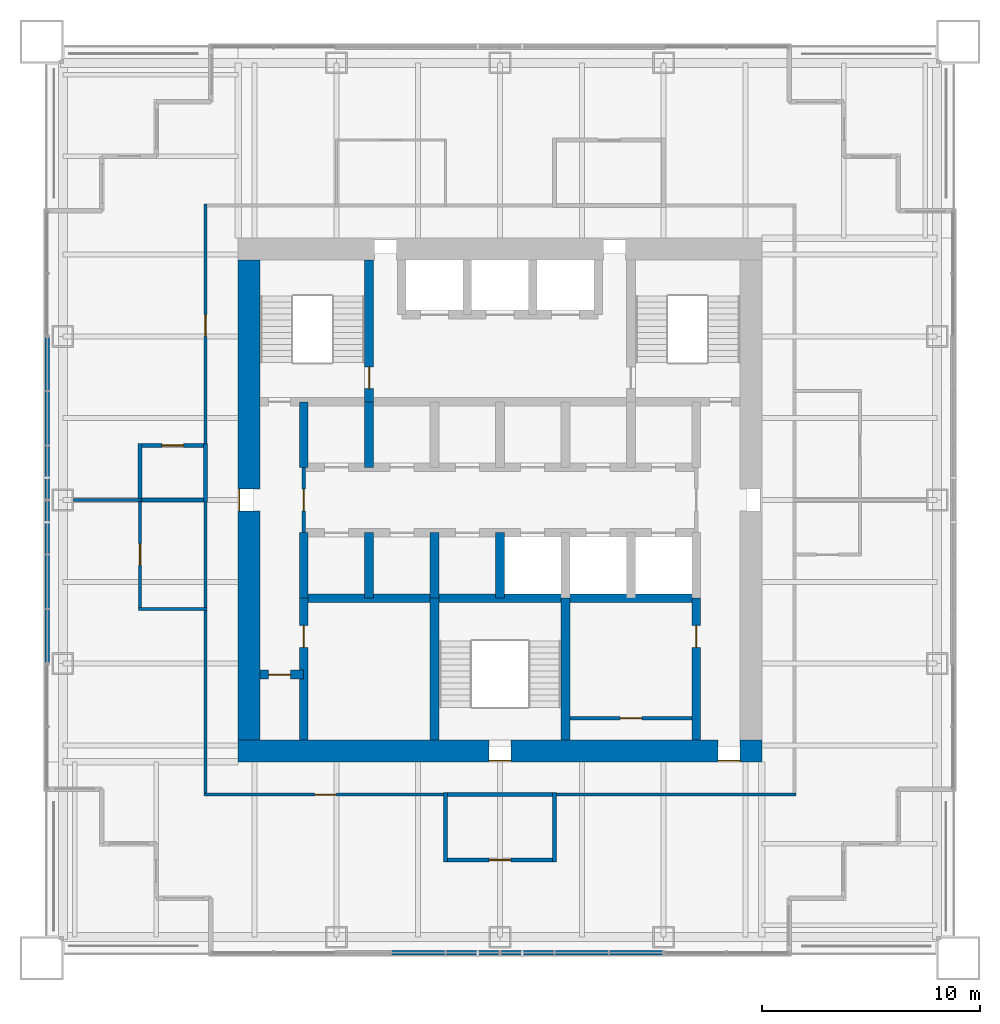
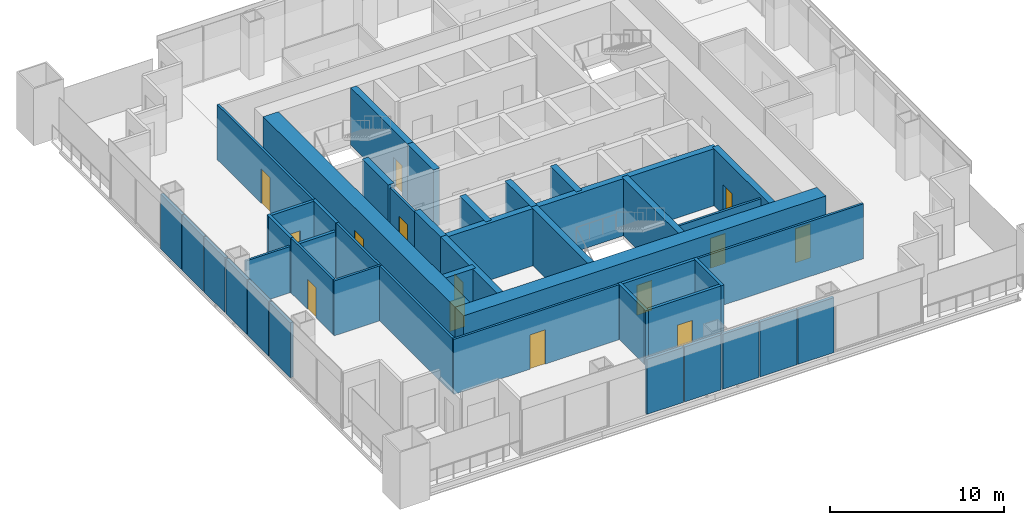
# One storey, part 9 of 14: 43 walls, 14 doors, 14 openings.
"""IFC4 building model written with IfcOpenShell, lengths in metres."""

from ifc_helpers import new_model, si_unit, direction, frame, frame_2d, origin, place, context, subcontext, project, spatial, rectangle, extrude, material, layer, layer_set, type_object, element, fill, save


model = new_model("IFC4")

# Units and contexts
model_context = context("Model", 3, precision=1e-05, world=origin(), true_north=direction((0.0, 1.0)))
body_context = subcontext(model_context, "Body", "Model", "MODEL_VIEW")
ifc_project = project(units=[si_unit("LENGTHUNIT", "METRE"), si_unit("AREAUNIT", "SQUARE_METRE"), si_unit("VOLUMEUNIT", "CUBIC_METRE"), si_unit("PLANEANGLEUNIT", "RADIAN"), si_unit("MASSUNIT", "GRAM", prefix="KILO")], contexts=[model_context])

# Site, building, storey
site_placement = place(None, origin())
site = spatial("IfcSite", under=ifc_project, at=site_placement, CompositionType="ELEMENT")
building_placement = place(site_placement, origin())
building = spatial("IfcBuilding", under=site, at=building_placement, Name="Tarangal Relay Tower", CompositionType="ELEMENT")
storey_placement = place(building_placement, frame((0.0, 0.0, 279.89990234375)))
storey = spatial("IfcBuildingStorey", under=building, at=storey_placement, Name="L61", CompositionType="ELEMENT", Elevation=279.89990234375)

# Wall, opening, door
ifc_material_1 = material(Name="Two layers gypsum board each side on twin steel studs, mineral wool", Category="steel")
ifc_layer_1 = layer(ifc_material_1, 0.199951171875)
ifc_layer_set_1 = layer_set([ifc_layer_1], Name="Acoustic partition 200")
wall_type_1 = type_object("IfcWallType", Name="Acoustic partition 200", PredefinedType="PARTITIONING", material=ifc_layer_set_1)
wall_1_placement = place(storey_placement, frame((-2.60009765625, -16.5, 0.0), z_axis=(0.0, 0.0, 1.0), x_axis=(1.0, 0.0, 0.0)))
wall_1 = element("IfcWall", 1, at=wall_1_placement, inside=storey, type_object=wall_type_1, Name="Partition PT2 L61", PredefinedType="PARTITIONING", context=body_context, shape_type="SweptSolid", body=[
    extrude(rectangle(XDim=5.2001953125, YDim=0.199951171875, at=frame_2d((2.60009765625, 0.0))), origin(), (0.0, 0.0, 1.0), 3.85009765625),
])
opening_1_placement = place(wall_1_placement, frame((2.10009765625, 0.0, 0.0)))
opening_1 = element("IfcOpeningElement", 2, at=opening_1_placement, cuts=wall_1, Name="Opening D2", PredefinedType="OPENING", context=body_context, shape_type="SweptSolid", body=[
    extrude(rectangle(XDim=1.0, YDim=2.10009765625, at=frame_2d((0.5, 1.050048828125))), frame((0.0, 0.10986328125, 0.0), z_axis=(0.0, -1.0, 0.0), x_axis=(1.0, 0.0, 0.0)), (0.0, 0.0, 1.0), 0.219970703125),
])
ifc_material_2 = material(Name="Hardwood door", Category="wood")
door_type_1 = type_object("IfcDoorType", Name="Door 1000 x 2100", OperationType="SINGLE_SWING_LEFT", PredefinedType="DOOR", material=ifc_material_2)
door_1_placement = place(opening_1_placement, origin())
door_1 = element("IfcDoor", 3, at=door_1_placement, inside=storey, type_object=door_type_1, Name="Door D2 to meeting room L61-06", OperationType="SINGLE_SWING_LEFT", OverallHeight=2.10009765625, OverallWidth=1.0, PredefinedType="DOOR", context=body_context, shape_type="SweptSolid", body=[
    extrude(rectangle(XDim=1.0, YDim=2.10009765625, at=frame_2d((0.5, 1.050048828125))), frame((0.0, 0.02490234375, 0.0), z_axis=(0.0, -1.0, 0.0), x_axis=(1.0, 0.0, 0.0)), (0.0, 0.0, 1.0), 0.050048828125),
])
fill(opening_1, door_1)

# Walls
wall_2_placement = place(storey_placement, frame((-2.60009765625, -13.5, 0.0), z_axis=(0.0, 0.0, 1.0), x_axis=(1.0, 0.0, 0.0)))
element("IfcWall", 4, at=wall_2_placement, inside=storey, type_object=wall_type_1, Name="Partition PT2 L61", PredefinedType="PARTITIONING", context=body_context, shape_type="SweptSolid", body=[
    extrude(rectangle(XDim=5.2001953125, YDim=0.199951171875, at=frame_2d((2.60009765625, 0.0))), origin(), (0.0, 0.0, 1.0), 3.85009765625),
])
wall_3_placement = place(storey_placement, frame((-16.60009765625, 0.0, 0.0), z_axis=(0.0, 0.0, 1.0), x_axis=(1.0, 0.0, 0.0)))
element("IfcWall", 5, at=wall_3_placement, inside=storey, type_object=wall_type_1, Name="Partition PT2 L61", PredefinedType="PARTITIONING", context=body_context, shape_type="SweptSolid", body=[
    extrude(rectangle(XDim=3.2001953125, YDim=0.199951171875, at=frame_2d((1.60009765625, 0.0))), origin(), (0.0, 0.0, 1.0), 3.2431640625),
])

# Wall, opening, door
wall_4_placement = place(storey_placement, frame((-16.60009765625, 2.5, 0.0), z_axis=(0.0, 0.0, 1.0), x_axis=(1.0, 0.0, 0.0)))
wall_4 = element("IfcWall", 6, at=wall_4_placement, inside=storey, type_object=wall_type_1, Name="Partition PT2 L61", PredefinedType="PARTITIONING", context=body_context, shape_type="SweptSolid", body=[
    extrude(rectangle(XDim=3.2001953125, YDim=0.199951171875, at=frame_2d((1.60009765625, 0.0))), origin(), (0.0, 0.0, 1.0), 3.85009765625),
])
opening_2_placement = place(wall_4_placement, frame((1.10009765625, 0.0, 0.0)))
opening_2 = element("IfcOpeningElement", 7, at=opening_2_placement, cuts=wall_4, Name="Opening D2", PredefinedType="OPENING", context=body_context, shape_type="SweptSolid", body=[
    extrude(rectangle(XDim=1.0, YDim=2.10009765625, at=frame_2d((0.5, 1.050048828125))), frame((0.0, 0.10986328125, 0.0), z_axis=(0.0, -1.0, 0.0), x_axis=(1.0, 0.0, 0.0)), (0.0, 0.0, 1.0), 0.219970703125),
])
door_2_placement = place(opening_2_placement, origin())
door_2 = element("IfcDoor", 8, at=door_2_placement, inside=storey, type_object=door_type_1, Name="Door D2 to phone room L61-08", OperationType="SINGLE_SWING_LEFT", OverallHeight=2.10009765625, OverallWidth=1.0, PredefinedType="DOOR", context=body_context, shape_type="SweptSolid", body=[
    extrude(rectangle(XDim=1.0, YDim=2.10009765625, at=frame_2d((0.5, 1.050048828125))), frame((0.0, 0.02490234375, 0.0), z_axis=(0.0, -1.0, 0.0), x_axis=(1.0, 0.0, 0.0)), (0.0, 0.0, 1.0), 0.050048828125),
])
fill(opening_2, door_2)

# Walls
for number, where, z_axis, x_axis, name in (
    (9, (-16.5, -0.10009765625, 0.0), (0.0, 0.0, 1.0), (0.0, 1.0, 0.0), "Partition PT2 L61"),
    (10, (-13.5, -0.10009765625, 0.0), (0.0, 0.0, 1.0), (0.0, 1.0, 0.0), "Partition PT2 L61"),
):
    element("IfcWall", number, at=place(storey_placement, frame(where, z_axis=z_axis, x_axis=x_axis)), inside=storey, type_object=wall_type_1, Name=name, PredefinedType="PARTITIONING", context=body_context, shape_type="SweptSolid", body=[
        extrude(rectangle(XDim=2.7001953125, YDim=0.199951171875, at=frame_2d((1.35009765625, 0.0))), origin(), (0.0, 0.0, 1.0), 3.85009765625),
    ])
for number, where, z_axis, x_axis, name in (
    (11, (-2.5, -16.60009765625, 0.0), (0.0, 0.0, 1.0), (0.0, 1.0, 0.0), "Partition PT2 L61"),
    (12, (2.5, -16.60009765625, 0.0), (0.0, 0.0, 1.0), (0.0, 1.0, 0.0), "Partition PT2 L61"),
):
    element("IfcWall", number, at=place(storey_placement, frame(where, z_axis=z_axis, x_axis=x_axis)), inside=storey, type_object=wall_type_1, Name=name, PredefinedType="PARTITIONING", context=body_context, shape_type="SweptSolid", body=[
        extrude(rectangle(XDim=3.2001953125, YDim=0.199951171875, at=frame_2d((1.60009765625, 0.0))), origin(), (0.0, 0.0, 1.0), 3.85009765625),
    ])
ifc_material_3 = material(Name="Concrete fc' 60 MPa", Category="concrete")
ifc_layer_2 = layer(ifc_material_3, 0.39990234375)
ifc_layer_set_2 = layer_set([ifc_layer_2], Name="Core inner wall 400")
wall_type_2 = type_object("IfcWallType", Name="Core inner wall 400", PredefinedType="SHEAR", material=ifc_layer_set_2)
wall_5_placement = place(storey_placement, frame((-9.0, -4.5, 0.0), z_axis=(0.0, 0.0, 1.0), x_axis=(1.0, 0.0, 0.0)))
element("IfcWall", 13, at=wall_5_placement, inside=storey, type_object=wall_type_2, Name="Core wall YM45 L61", PredefinedType="SHEAR", context=body_context, shape_type="SweptSolid", body=[
    extrude(rectangle(XDim=18.0, YDim=0.39990234375, at=frame_2d((9.0, 0.0))), origin(), (0.0, 0.0, 1.0), 4.0),
])

# Wall, opening, door
wall_6_placement = place(storey_placement, frame((-11.0, -8.0, 0.0), z_axis=(0.0, 0.0, 1.0), x_axis=(1.0, 0.0, 0.0)))
wall_6 = element("IfcWall", 14, at=wall_6_placement, inside=storey, type_object=wall_type_2, Name="Core wall YM8 L61", PredefinedType="SHEAR", context=body_context, shape_type="SweptSolid", body=[
    extrude(rectangle(XDim=2.0, YDim=0.39990234375, at=frame_2d((1.0, 0.0))), origin(), (0.0, 0.0, 1.0), 4.0),
])
opening_3_placement = place(wall_6_placement, frame((0.39990234375, 0.0, 0.0)))
opening_3 = element("IfcOpeningElement", 15, at=opening_3_placement, cuts=wall_6, Name="Opening D1", PredefinedType="OPENING", context=body_context, shape_type="SweptSolid", body=[
    extrude(rectangle(XDim=1.0, YDim=2.10009765625, at=frame_2d((0.5, 1.050048828125))), frame((0.0, 0.2099609375, 0.0), z_axis=(0.0, -1.0, 0.0), x_axis=(1.0, 0.0, 0.0)), (0.0, 0.0, 1.0), 0.419921875),
])
door_type_2 = type_object("IfcDoorType", Name="WC door 1000 x 2100", OperationType="SINGLE_SWING_LEFT", PredefinedType="DOOR", material=ifc_material_2)
door_3_placement = place(opening_3_placement, origin())
door_3 = element("IfcDoor", 16, at=door_3_placement, inside=storey, type_object=door_type_2, Name="Accessible WC door L61", OperationType="SINGLE_SWING_LEFT", OverallHeight=2.10009765625, OverallWidth=1.0, PredefinedType="DOOR", context=body_context, shape_type="SweptSolid", body=[
    extrude(rectangle(XDim=1.0, YDim=2.10009765625, at=frame_2d((0.5, 1.050048828125))), frame((0.0, 0.02490234375, 0.0), z_axis=(0.0, -1.0, 0.0), x_axis=(1.0, 0.0, 0.0)), (0.0, 0.0, 1.0), 0.050048828125),
])
fill(opening_3, door_3)

# Walls
for number, where, z_axis, x_axis, name in (
    (17, (-9.0, 1.5, 0.0), (0.0, 0.0, 1.0), (0.0, 1.0, 0.0), "Core wall XM9N L61"),
    (18, (-9.0, -4.5, 0.0), (0.0, 0.0, 1.0), (0.0, 1.0, 0.0), "Core wall XM9S L61"),
    (19, (-6.0, 1.5, 0.0), (0.0, 0.0, 1.0), (0.0, 1.0, 0.0), "Core wall XM6N L61"),
    (20, (-6.0, -4.5, 0.0), (0.0, 0.0, 1.0), (0.0, 1.0, 0.0), "Core wall XM6S L61"),
    (21, (-3.0, -4.5, 0.0), (0.0, 0.0, 1.0), (0.0, 1.0, 0.0), "Core wall XM3S L61"),
    (22, (0.0, -4.5, 0.0), (0.0, 0.0, 1.0), (0.0, 1.0, 0.0), "Core wall X0S L61"),
):
    element("IfcWall", number, at=place(storey_placement, frame(where, z_axis=z_axis, x_axis=x_axis)), inside=storey, type_object=wall_type_2, Name=name, PredefinedType="SHEAR", context=body_context, shape_type="SweptSolid", body=[
        extrude(rectangle(XDim=3.0, YDim=0.39990234375, at=frame_2d((1.5, 0.0))), origin(), (0.0, 0.0, 1.0), 4.0),
    ])

# Wall, opening, door
wall_7_placement = place(storey_placement, frame((-6.0, 4.5, 0.0), z_axis=(0.0, 0.0, 1.0), x_axis=(0.0, 1.0, 0.0)))
wall_7 = element("IfcWall", 23, at=wall_7_placement, inside=storey, type_object=wall_type_2, Name="Core wall XM6 L61", PredefinedType="SHEAR", context=body_context, shape_type="SweptSolid", body=[
    extrude(rectangle(XDim=6.5, YDim=0.39990234375, at=frame_2d((3.25, 0.0))), origin(), (0.0, 0.0, 1.0), 4.0),
])
opening_4_placement = place(wall_7_placement, frame((0.60009765625, 0.0, 0.0)))
opening_4 = element("IfcOpeningElement", 24, at=opening_4_placement, cuts=wall_7, Name="Opening FD1", PredefinedType="OPENING", context=body_context, shape_type="SweptSolid", body=[
    extrude(rectangle(XDim=1.0, YDim=2.10009765625, at=frame_2d((0.5, 1.050048828125))), frame((0.0, 0.2099609375, 0.0), z_axis=(0.0, -1.0, 0.0), x_axis=(1.0, 0.0, 0.0)), (0.0, 0.0, 1.0), 0.419921875),
])
ifc_material_4 = material(Name="Steel door with hardwood frame", Category="steel")
door_type_3 = type_object("IfcDoorType", Name="Fire door 1000 x 2100", OperationType="SINGLE_SWING_LEFT", PredefinedType="DOOR", material=ifc_material_4)
door_4_placement = place(opening_4_placement, origin())
door_4 = element("IfcDoor", 25, at=door_4_placement, inside=storey, type_object=door_type_3, Name="Stair ST-A door from fire-fighting lobby L61", OperationType="SINGLE_SWING_LEFT", OverallHeight=2.10009765625, OverallWidth=1.0, PredefinedType="DOOR", context=body_context, shape_type="SweptSolid", body=[
    extrude(rectangle(XDim=1.0, YDim=2.10009765625, at=frame_2d((0.5, 1.050048828125))), frame((0.0, 0.02490234375, 0.0), z_axis=(0.0, -1.0, 0.0), x_axis=(1.0, 0.0, 0.0)), (0.0, 0.0, 1.0), 0.050048828125),
])
fill(opening_4, door_4)

wall_8_placement = place(storey_placement, frame((-9.0, -11.0, 0.0), z_axis=(0.0, 0.0, 1.0), x_axis=(0.0, 1.0, 0.0)))
wall_8 = element("IfcWall", 26, at=wall_8_placement, inside=storey, type_object=wall_type_2, Name="Core wall XM9W L61", PredefinedType="SHEAR", context=body_context, shape_type="SweptSolid", body=[
    extrude(rectangle(XDim=6.5, YDim=0.39990234375, at=frame_2d((3.25, 0.0))), origin(), (0.0, 0.0, 1.0), 4.0),
])
opening_5_placement = place(wall_8_placement, frame((4.25, 0.0, 0.0)))
opening_5 = element("IfcOpeningElement", 27, at=opening_5_placement, cuts=wall_8, Name="Opening D1", PredefinedType="OPENING", context=body_context, shape_type="SweptSolid", body=[
    extrude(rectangle(XDim=1.0, YDim=2.10009765625, at=frame_2d((0.5, 1.050048828125))), frame((0.0, 0.2099609375, 0.0), z_axis=(0.0, -1.0, 0.0), x_axis=(1.0, 0.0, 0.0)), (0.0, 0.0, 1.0), 0.419921875),
])
door_5_placement = place(opening_5_placement, origin())
door_5 = element("IfcDoor", 28, at=door_5_placement, inside=storey, type_object=door_type_2, Name="Male WC door L61", OperationType="SINGLE_SWING_LEFT", OverallHeight=2.10009765625, OverallWidth=1.0, PredefinedType="DOOR", context=body_context, shape_type="SweptSolid", body=[
    extrude(rectangle(XDim=1.0, YDim=2.10009765625, at=frame_2d((0.5, 1.050048828125))), frame((0.0, 0.02490234375, 0.0), z_axis=(0.0, -1.0, 0.0), x_axis=(1.0, 0.0, 0.0)), (0.0, 0.0, 1.0), 0.050048828125),
])
fill(opening_5, door_5)

wall_9_placement = place(storey_placement, frame((9.0, -11.0, 0.0), z_axis=(0.0, 0.0, 1.0), x_axis=(0.0, 1.0, 0.0)))
wall_9 = element("IfcWall", 29, at=wall_9_placement, inside=storey, type_object=wall_type_2, Name="Core wall X9W L61", PredefinedType="SHEAR", context=body_context, shape_type="SweptSolid", body=[
    extrude(rectangle(XDim=6.5, YDim=0.39990234375, at=frame_2d((3.25, 0.0))), origin(), (0.0, 0.0, 1.0), 4.0),
])
opening_6_placement = place(wall_9_placement, frame((4.25, 0.0, 0.0)))
opening_6 = element("IfcOpeningElement", 30, at=opening_6_placement, cuts=wall_9, Name="Opening D1", PredefinedType="OPENING", context=body_context, shape_type="SweptSolid", body=[
    extrude(rectangle(XDim=1.0, YDim=2.10009765625, at=frame_2d((0.5, 1.050048828125))), frame((0.0, 0.2099609375, 0.0), z_axis=(0.0, -1.0, 0.0), x_axis=(1.0, 0.0, 0.0)), (0.0, 0.0, 1.0), 0.419921875),
])
door_6_placement = place(opening_6_placement, origin())
door_6 = element("IfcDoor", 31, at=door_6_placement, inside=storey, type_object=door_type_2, Name="Female WC door L61", OperationType="SINGLE_SWING_LEFT", OverallHeight=2.10009765625, OverallWidth=1.0, PredefinedType="DOOR", context=body_context, shape_type="SweptSolid", body=[
    extrude(rectangle(XDim=1.0, YDim=2.10009765625, at=frame_2d((0.5, 1.050048828125))), frame((0.0, 0.02490234375, 0.0), z_axis=(0.0, -1.0, 0.0), x_axis=(1.0, 0.0, 0.0)), (0.0, 0.0, 1.0), 0.050048828125),
])
fill(opening_6, door_6)

# Walls
for number, where, z_axis, x_axis, name in (
    (32, (-3.0, -11.0, 0.0), (0.0, 0.0, 1.0), (0.0, 1.0, 0.0), "Core wall XM3W L61"),
    (33, (3.0, -11.0, 0.0), (0.0, 0.0, 1.0), (0.0, 1.0, 0.0), "Core wall X3W L61"),
):
    element("IfcWall", number, at=place(storey_placement, frame(where, z_axis=z_axis, x_axis=x_axis)), inside=storey, type_object=wall_type_2, Name=name, PredefinedType="SHEAR", context=body_context, shape_type="SweptSolid", body=[
        extrude(rectangle(XDim=6.5, YDim=0.39990234375, at=frame_2d((3.25, 0.0))), origin(), (0.0, 0.0, 1.0), 4.0),
    ])

# Wall, openings, doors
ifc_layer_3 = layer(ifc_material_3, 1.0)
ifc_layer_set_3 = layer_set([ifc_layer_3], Name="Core wall 1000")
wall_type_3 = type_object("IfcWallType", Name="Core wall 1000", PredefinedType="SHEAR", material=ifc_layer_set_3)
wall_10_placement = place(storey_placement, frame((12.0, -11.5, 0.0), z_axis=(0.0, 0.0, 1.0), x_axis=(-1.0, 0.0, 0.0)))
wall_10 = element("IfcWall", 34, at=wall_10_placement, inside=storey, type_object=wall_type_3, Name="Core wall S L61", PredefinedType="SHEAR", context=body_context, shape_type="SweptSolid", body=[
    extrude(rectangle(XDim=24.0, YDim=1.0, at=frame_2d((12.0, 0.0))), origin(), (0.0, 0.0, 1.0), 4.0),
])
opening_7_placement = place(wall_10_placement, frame((11.5, 0.0, 0.0)))
opening_7 = element("IfcOpeningElement", 35, at=opening_7_placement, cuts=wall_10, Name="Opening FD1", PredefinedType="OPENING", context=body_context, shape_type="SweptSolid", body=[
    extrude(rectangle(XDim=1.0, YDim=2.10009765625, at=frame_2d((0.5, 1.050048828125))), frame((0.0, 0.510009765625, 0.0), z_axis=(0.0, -1.0, 0.0), x_axis=(1.0, 0.0, 0.0)), (0.0, 0.0, 1.0), 1.02001953125),
])
opening_8_placement = place(wall_10_placement, frame((1.0, 0.0, 0.0)))
opening_8 = element("IfcOpeningElement", 36, at=opening_8_placement, cuts=wall_10, Name="Opening FD3", PredefinedType="OPENING", context=body_context, shape_type="SweptSolid", body=[
    extrude(rectangle(XDim=1.0, YDim=2.39990234375, at=frame_2d((0.5, 1.199951171875))), frame((0.0, 0.510009765625, 0.0), z_axis=(0.0, -1.0, 0.0), x_axis=(1.0, 0.0, 0.0)), (0.0, 0.0, 1.0), 1.02001953125),
])
door_7_placement = place(opening_7_placement, origin())
door_7 = element("IfcDoor", 37, at=door_7_placement, inside=storey, type_object=door_type_3, Name="Stair ST-C door L61", OperationType="SINGLE_SWING_LEFT", OverallHeight=2.10009765625, OverallWidth=1.0, PredefinedType="DOOR", context=body_context, shape_type="SweptSolid", body=[
    extrude(rectangle(XDim=1.0, YDim=2.10009765625, at=frame_2d((0.5, 1.050048828125))), frame((0.0, 0.48486328125, 0.0), z_axis=(0.0, -1.0, 0.0), x_axis=(1.0, 0.0, 0.0)), (0.0, 0.0, 1.0), 0.050048828125),
])
fill(opening_7, door_7)
door_type_4 = type_object("IfcDoorType", Name="Fire door 1000 x 2400 core entry", OperationType="SINGLE_SWING_RIGHT", PredefinedType="DOOR", material=ifc_material_4)
door_8_placement = place(opening_8_placement, origin())
door_8 = element("IfcDoor", 38, at=door_8_placement, inside=storey, type_object=door_type_4, Name="Core entry door south east L61", OperationType="SINGLE_SWING_RIGHT", OverallHeight=2.39990234375, OverallWidth=1.0, PredefinedType="DOOR", context=body_context, shape_type="SweptSolid", body=[
    extrude(rectangle(XDim=1.0, YDim=2.39990234375, at=frame_2d((0.5, 1.199951171875))), frame((0.0, 0.48486328125, 0.0), z_axis=(0.0, -1.0, 0.0), x_axis=(1.0, 0.0, 0.0)), (0.0, 0.0, 1.0), 0.050048828125),
])
fill(opening_8, door_8)

# Wall, opening, door
wall_11_placement = place(storey_placement, frame((-11.5, -11.0, 0.0), z_axis=(0.0, 0.0, 1.0), x_axis=(0.0, 1.0, 0.0)))
wall_11 = element("IfcWall", 39, at=wall_11_placement, inside=storey, type_object=wall_type_3, Name="Core wall W L61", PredefinedType="SHEAR", context=body_context, shape_type="SweptSolid", body=[
    extrude(rectangle(XDim=22.0, YDim=1.0, at=frame_2d((11.0, 0.0))), origin(), (0.0, 0.0, 1.0), 4.0),
])
opening_9_placement = place(wall_11_placement, frame((10.5, 0.0, 0.0)))
opening_9 = element("IfcOpeningElement", 40, at=opening_9_placement, cuts=wall_11, Name="Opening FD3", PredefinedType="OPENING", context=body_context, shape_type="SweptSolid", body=[
    extrude(rectangle(XDim=1.0, YDim=2.39990234375, at=frame_2d((0.5, 1.199951171875))), frame((0.0, 0.510009765625, 0.0), z_axis=(0.0, -1.0, 0.0), x_axis=(1.0, 0.0, 0.0)), (0.0, 0.0, 1.0), 1.02001953125),
])
door_9_placement = place(opening_9_placement, origin())
door_9 = element("IfcDoor", 41, at=door_9_placement, inside=storey, type_object=door_type_4, Name="Core entry door west L61", OperationType="SINGLE_SWING_RIGHT", OverallHeight=2.39990234375, OverallWidth=1.0, PredefinedType="DOOR", context=body_context, shape_type="SweptSolid", body=[
    extrude(rectangle(XDim=1.0, YDim=2.39990234375, at=frame_2d((0.5, 1.199951171875))), frame((0.0, 0.48486328125, 0.0), z_axis=(0.0, -1.0, 0.0), x_axis=(1.0, 0.0, 0.0)), (0.0, 0.0, 1.0), 0.050048828125),
])
fill(opening_9, door_9)

# Walls
ifc_material_5 = material(Name="Black metal clad insulated wall", Category="steel")
ifc_layer_4 = layer(ifc_material_5, 0.199951171875)
ifc_layer_set_4 = layer_set([ifc_layer_4], Name="Facade infill wall metal clad 200")
wall_type_4 = type_object("IfcWallType", Name="Facade infill wall metal clad 200", PredefinedType="SOLIDWALL", material=ifc_layer_set_4)
wall_12_placement = place(storey_placement, frame((7.43994140625, -20.75, 0.0), z_axis=(0.0, 0.0, 1.0), x_axis=(-1.0, 0.0, 0.0)))
element("IfcWall", 42, at=wall_12_placement, inside=storey, type_object=wall_type_4, Name="Facade infill wall S facade L61 1.1", PredefinedType="SOLIDWALL", context=body_context, shape_type="SweptSolid", body=[
    extrude(rectangle(XDim=2.409912109375, YDim=0.199951171875, at=frame_2d((1.205078125, 0.0))), origin(), (0.0, 0.0, 1.0), 3.85009765625),
])
wall_13_placement = place(storey_placement, frame((4.969970703125, -20.75, 0.0), z_axis=(0.0, 0.0, 1.0), x_axis=(-1.0, 0.0, 0.0)))
element("IfcWall", 43, at=wall_13_placement, inside=storey, type_object=wall_type_4, Name="Facade infill wall S facade L61 2.1", PredefinedType="SOLIDWALL", context=body_context, shape_type="SweptSolid", body=[
    extrude(rectangle(XDim=2.43994140625, YDim=0.199951171875, at=frame_2d((1.219970703125, 0.0))), origin(), (0.0, 0.0, 1.0), 3.85009765625),
])
for number, where, z_axis, x_axis, name in (
    (44, (2.469970703125, -20.75, 0.0), (0.0, 0.0, 1.0), (-1.0, 0.0, 0.0), "Facade infill wall S facade L61 3.1"),
    (45, (-0.06005859375, -20.75, 0.0), (0.0, 0.0, 1.0), (-1.0, 0.0, 0.0), "Facade infill wall S facade L61 1.1"),
):
    element("IfcWall", number, at=place(storey_placement, frame(where, z_axis=z_axis, x_axis=x_axis)), inside=storey, type_object=wall_type_4, Name=name, PredefinedType="SOLIDWALL", context=body_context, shape_type="SweptSolid", body=[
        extrude(rectangle(XDim=2.409912109375, YDim=0.199951171875, at=frame_2d((1.205078125, 0.0))), origin(), (0.0, 0.0, 1.0), 3.85009765625),
    ])
wall_14_placement = place(storey_placement, frame((-2.530029296875, -20.75, 0.0), z_axis=(0.0, 0.0, 1.0), x_axis=(-1.0, 0.0, 0.0)))
element("IfcWall", 46, at=wall_14_placement, inside=storey, type_object=wall_type_4, Name="Facade infill wall S facade L61 2.1", PredefinedType="SOLIDWALL", context=body_context, shape_type="SweptSolid", body=[
    extrude(rectangle(XDim=2.43994140625, YDim=0.199951171875, at=frame_2d((1.219970703125, 0.0))), origin(), (0.0, 0.0, 1.0), 3.85009765625),
])
wall_15_placement = place(storey_placement, frame((-20.75, -7.43994140625, 0.0), z_axis=(0.0, 0.0, 1.0), x_axis=(0.0, 1.0, 0.0)))
element("IfcWall", 47, at=wall_15_placement, inside=storey, type_object=wall_type_4, Name="Facade infill wall W facade L61 1.1", PredefinedType="SOLIDWALL", context=body_context, shape_type="SweptSolid", body=[
    extrude(rectangle(XDim=2.409912109375, YDim=0.199951171875, at=frame_2d((1.205078125, 0.0))), origin(), (0.0, 0.0, 1.0), 3.85009765625),
])
wall_16_placement = place(storey_placement, frame((-20.75, -4.969970703125, 0.0), z_axis=(0.0, 0.0, 1.0), x_axis=(0.0, 1.0, 0.0)))
element("IfcWall", 48, at=wall_16_placement, inside=storey, type_object=wall_type_4, Name="Facade infill wall W facade L61 2.1", PredefinedType="SOLIDWALL", context=body_context, shape_type="SweptSolid", body=[
    extrude(rectangle(XDim=2.43994140625, YDim=0.199951171875, at=frame_2d((1.219970703125, 0.0))), origin(), (0.0, 0.0, 1.0), 3.85009765625),
])
for number, where, z_axis, x_axis, name in (
    (49, (-20.75, -2.469970703125, 0.0), (0.0, 0.0, 1.0), (0.0, 1.0, 0.0), "Facade infill wall W facade L61 3.1"),
    (50, (-20.75, 0.06005859375, 0.0), (0.0, 0.0, 1.0), (0.0, 1.0, 0.0), "Facade infill wall W facade L61 1.1"),
):
    element("IfcWall", number, at=place(storey_placement, frame(where, z_axis=z_axis, x_axis=x_axis)), inside=storey, type_object=wall_type_4, Name=name, PredefinedType="SOLIDWALL", context=body_context, shape_type="SweptSolid", body=[
        extrude(rectangle(XDim=2.409912109375, YDim=0.199951171875, at=frame_2d((1.205078125, 0.0))), origin(), (0.0, 0.0, 1.0), 3.85009765625),
    ])
wall_17_placement = place(storey_placement, frame((-20.75, 2.530029296875, 0.0), z_axis=(0.0, 0.0, 1.0), x_axis=(0.0, 1.0, 0.0)))
element("IfcWall", 51, at=wall_17_placement, inside=storey, type_object=wall_type_4, Name="Facade infill wall W facade L61 2.1", PredefinedType="SOLIDWALL", context=body_context, shape_type="SweptSolid", body=[
    extrude(rectangle(XDim=2.43994140625, YDim=0.199951171875, at=frame_2d((1.219970703125, 0.0))), origin(), (0.0, 0.0, 1.0), 3.85009765625),
])
wall_18_placement = place(storey_placement, frame((-20.75, 5.030029296875, 0.0), z_axis=(0.0, 0.0, 1.0), x_axis=(0.0, 1.0, 0.0)))
element("IfcWall", 52, at=wall_18_placement, inside=storey, type_object=wall_type_4, Name="Facade infill wall W facade L61 3.1", PredefinedType="SOLIDWALL", context=body_context, shape_type="SweptSolid", body=[
    extrude(rectangle(XDim=2.409912109375, YDim=0.199951171875, at=frame_2d((1.205078125, 0.0))), origin(), (0.0, 0.0, 1.0), 3.85009765625),
])

# Wall, opening, door
ifc_material_6 = material(Name="Gypsum board on steel studs", Category="steel")
ifc_layer_5 = layer(ifc_material_6, 0.14990234375)
ifc_layer_set_5 = layer_set([ifc_layer_5], Name="Partition 150")
wall_type_5 = type_object("IfcWallType", Name="Partition 150", PredefinedType="PARTITIONING", material=ifc_layer_set_5)
wall_19_placement = place(storey_placement, frame((-13.574951171875, -13.5, 0.0), z_axis=(0.0, 0.0, 1.0), x_axis=(1.0, 0.0, 0.0)))
wall_19 = element("IfcWall", 53, at=wall_19_placement, inside=storey, type_object=wall_type_5, Name="Partition PT1 L61", PredefinedType="PARTITIONING", context=body_context, shape_type="SweptSolid", body=[
    extrude(rectangle(XDim=11.14990234375, YDim=0.14990234375, at=frame_2d((5.574951171875, 0.0))), origin(), (0.0, 0.0, 1.0), 3.85009765625),
])
opening_10_placement = place(wall_19_placement, frame((5.074951171875, 0.0, 0.0)))
opening_10 = element("IfcOpeningElement", 54, at=opening_10_placement, cuts=wall_19, Name="Opening SD1", PredefinedType="OPENING", context=body_context, shape_type="SweptSolid", body=[
    extrude(rectangle(XDim=1.0, YDim=2.39990234375, at=frame_2d((0.5, 1.199951171875))), frame((0.0, 0.0849609375, 0.0), z_axis=(0.0, -1.0, 0.0), x_axis=(1.0, 0.0, 0.0)), (0.0, 0.0, 1.0), 0.169921875),
])
door_type_5 = type_object("IfcDoorType", Name="Suite entrance door 1000 x 2400", OperationType="SINGLE_SWING_RIGHT", PredefinedType="DOOR", material=ifc_material_4)
door_10_placement = place(opening_10_placement, origin())
door_10 = element("IfcDoor", 55, at=door_10_placement, inside=storey, type_object=door_type_5, Name="Door SD1 to open plan office L61-10", OperationType="SINGLE_SWING_RIGHT", OverallHeight=2.39990234375, OverallWidth=1.0, PredefinedType="DOOR", context=body_context, shape_type="SweptSolid", body=[
    extrude(rectangle(XDim=1.0, YDim=2.39990234375, at=frame_2d((0.5, 1.199951171875))), frame((0.0, 0.02490234375, 0.0), z_axis=(0.0, -1.0, 0.0), x_axis=(1.0, 0.0, 0.0)), (0.0, 0.0, 1.0), 0.050048828125),
])
fill(opening_10, door_10)

# Walls
wall_20_placement = place(storey_placement, frame((2.425048828125, -13.5, 0.0), z_axis=(0.0, 0.0, 1.0), x_axis=(1.0, 0.0, 0.0)))
element("IfcWall", 56, at=wall_20_placement, inside=storey, type_object=wall_type_5, Name="Partition PT1 L61", PredefinedType="PARTITIONING", context=body_context, shape_type="SweptSolid", body=[
    extrude(rectangle(XDim=11.14990234375, YDim=0.14990234375, at=frame_2d((5.574951171875, 0.0))), origin(), (0.0, 0.0, 1.0), 3.85009765625),
])
wall_21_placement = place(storey_placement, frame((-16.574951171875, -5.0, 0.0), z_axis=(0.0, 0.0, 1.0), x_axis=(1.0, 0.0, 0.0)))
element("IfcWall", 57, at=wall_21_placement, inside=storey, type_object=wall_type_5, Name="Partition PT1 L61", PredefinedType="PARTITIONING", context=body_context, shape_type="SweptSolid", body=[
    extrude(rectangle(XDim=3.14990234375, YDim=0.14990234375, at=frame_2d((1.574951171875, 0.0))), origin(), (0.0, 0.0, 1.0), 3.85009765625),
])
wall_22_placement = place(storey_placement, frame((-19.5400390625, 0.0, 0.0), z_axis=(0.0, 0.0, 1.0), x_axis=(1.0, 0.0, 0.0)))
element("IfcWall", 58, at=wall_22_placement, inside=storey, type_object=wall_type_5, Name="Partition PT1 L61", PredefinedType="PARTITIONING", context=body_context, shape_type="SweptSolid", body=[
    extrude(rectangle(XDim=3.114990234375, YDim=0.14990234375, at=frame_2d((1.5576171875, 0.0))), origin(), (0.0, 0.0, 1.0), 3.2431640625),
])

# Wall, opening, door
wall_23_placement = place(storey_placement, frame((-16.5, -5.074951171875, 0.0), z_axis=(0.0, 0.0, 1.0), x_axis=(0.0, 1.0, 0.0)))
wall_23 = element("IfcWall", 59, at=wall_23_placement, inside=storey, type_object=wall_type_5, Name="Partition PT1 L61", PredefinedType="PARTITIONING", context=body_context, shape_type="SweptSolid", body=[
    extrude(rectangle(XDim=5.14990234375, YDim=0.14990234375, at=frame_2d((2.574951171875, 0.0))), origin(), (0.0, 0.0, 1.0), 3.85009765625),
])
opening_11_placement = place(wall_23_placement, frame((2.074951171875, 0.0, 0.0)))
opening_11 = element("IfcOpeningElement", 60, at=opening_11_placement, cuts=wall_23, Name="Opening D2", PredefinedType="OPENING", context=body_context, shape_type="SweptSolid", body=[
    extrude(rectangle(XDim=1.0, YDim=2.10009765625, at=frame_2d((0.5, 1.050048828125))), frame((0.0, 0.0849609375, 0.0), z_axis=(0.0, -1.0, 0.0), x_axis=(1.0, 0.0, 0.0)), (0.0, 0.0, 1.0), 0.169921875),
])
door_11_placement = place(opening_11_placement, origin())
door_11 = element("IfcDoor", 61, at=door_11_placement, inside=storey, type_object=door_type_1, Name="Door D2 to tea pantry L61-07", OperationType="SINGLE_SWING_LEFT", OverallHeight=2.10009765625, OverallWidth=1.0, PredefinedType="DOOR", context=body_context, shape_type="SweptSolid", body=[
    extrude(rectangle(XDim=1.0, YDim=2.10009765625, at=frame_2d((0.5, 1.050048828125))), frame((0.0, 0.02490234375, 0.0), z_axis=(0.0, -1.0, 0.0), x_axis=(1.0, 0.0, 0.0)), (0.0, 0.0, 1.0), 0.050048828125),
])
fill(opening_11, door_11)

# Wall
wall_24_placement = place(storey_placement, frame((-13.5, -13.574951171875, 0.0), z_axis=(0.0, 0.0, 1.0), x_axis=(0.0, 1.0, 0.0)))
element("IfcWall", 62, at=wall_24_placement, inside=storey, type_object=wall_type_5, Name="Partition PT1 L61", PredefinedType="PARTITIONING", context=body_context, shape_type="SweptSolid", body=[
    extrude(rectangle(XDim=13.64990234375, YDim=0.14990234375, at=frame_2d((6.824951171875, 0.0))), origin(), (0.0, 0.0, 1.0), 3.85009765625),
])

# Wall, opening, door
wall_25_placement = place(storey_placement, frame((-13.5, 2.425048828125, 0.0), z_axis=(0.0, 0.0, 1.0), x_axis=(0.0, 1.0, 0.0)))
wall_25 = element("IfcWall", 63, at=wall_25_placement, inside=storey, type_object=wall_type_5, Name="Partition PT1 L61", PredefinedType="PARTITIONING", context=body_context, shape_type="SweptSolid", body=[
    extrude(rectangle(XDim=11.14990234375, YDim=0.14990234375, at=frame_2d((5.574951171875, 0.0))), origin(), (0.0, 0.0, 1.0), 3.85009765625),
])
opening_12_placement = place(wall_25_placement, frame((5.074951171875, 0.0, 0.0)))
opening_12 = element("IfcOpeningElement", 64, at=opening_12_placement, cuts=wall_25, Name="Opening SD1", PredefinedType="OPENING", context=body_context, shape_type="SweptSolid", body=[
    extrude(rectangle(XDim=1.0, YDim=2.39990234375, at=frame_2d((0.5, 1.199951171875))), frame((0.0, 0.0849609375, 0.0), z_axis=(0.0, -1.0, 0.0), x_axis=(1.0, 0.0, 0.0)), (0.0, 0.0, 1.0), 0.169921875),
])
door_12_placement = place(opening_12_placement, origin())
door_12 = element("IfcDoor", 65, at=door_12_placement, inside=storey, type_object=door_type_5, Name="Door SD1 to open plan office L61-09", OperationType="SINGLE_SWING_RIGHT", OverallHeight=2.39990234375, OverallWidth=1.0, PredefinedType="DOOR", context=body_context, shape_type="SweptSolid", body=[
    extrude(rectangle(XDim=1.0, YDim=2.39990234375, at=frame_2d((0.5, 1.199951171875))), frame((0.0, 0.02490234375, 0.0), z_axis=(0.0, -1.0, 0.0), x_axis=(1.0, 0.0, 0.0)), (0.0, 0.0, 1.0), 0.050048828125),
])
fill(opening_12, door_12)

wall_26_placement = place(storey_placement, frame((3.199951171875, -10.0, 0.0), z_axis=(0.0, 0.0, 1.0), x_axis=(1.0, 0.0, 0.0)))
wall_26 = element("IfcWall", 66, at=wall_26_placement, inside=storey, type_object=wall_type_5, Name="Partition PT1 L61", PredefinedType="PARTITIONING", context=body_context, shape_type="SweptSolid", body=[
    extrude(rectangle(XDim=5.60009765625, YDim=0.14990234375, at=frame_2d((2.800048828125, 0.0))), origin(), (0.0, 0.0, 1.0), 3.75),
])
opening_13_placement = place(wall_26_placement, frame((2.300048828125, 0.0, 0.0)))
opening_13 = element("IfcOpeningElement", 67, at=opening_13_placement, cuts=wall_26, Name="Opening D1", PredefinedType="OPENING", context=body_context, shape_type="SweptSolid", body=[
    extrude(rectangle(XDim=1.0, YDim=2.10009765625, at=frame_2d((0.5, 1.050048828125))), frame((0.0, 0.0849609375, 0.0), z_axis=(0.0, -1.0, 0.0), x_axis=(1.0, 0.0, 0.0)), (0.0, 0.0, 1.0), 0.169921875),
])
door_13_placement = place(opening_13_placement, origin())
door_13 = element("IfcDoor", 68, at=door_13_placement, inside=storey, type_object=door_type_2, Name="Door D1 to baby change room L61-C10B", OperationType="SINGLE_SWING_LEFT", OverallHeight=2.10009765625, OverallWidth=1.0, PredefinedType="DOOR", context=body_context, shape_type="SweptSolid", body=[
    extrude(rectangle(XDim=1.0, YDim=2.10009765625, at=frame_2d((0.5, 1.050048828125))), frame((0.0, 0.02490234375, 0.0), z_axis=(0.0, -1.0, 0.0), x_axis=(1.0, 0.0, 0.0)), (0.0, 0.0, 1.0), 0.050048828125),
])
fill(opening_13, door_13)

wall_27_placement = place(storey_placement, frame((-9.0, -1.5, 0.0), z_axis=(0.0, 0.0, 1.0), x_axis=(0.0, 1.0, 0.0)))
wall_27 = element("IfcWall", 69, at=wall_27_placement, inside=storey, type_object=wall_type_5, Name="Partition PT1 L61", PredefinedType="PARTITIONING", context=body_context, shape_type="SweptSolid", body=[
    extrude(rectangle(XDim=3.0, YDim=0.14990234375, at=frame_2d((1.5, 0.0))), origin(), (0.0, 0.0, 1.0), 3.75),
])
opening_14_placement = place(wall_27_placement, frame((1.0, 0.0, 0.0)))
opening_14 = element("IfcOpeningElement", 70, at=opening_14_placement, cuts=wall_27, Name="Opening FD3", PredefinedType="OPENING", context=body_context, shape_type="SweptSolid", body=[
    extrude(rectangle(XDim=1.0, YDim=2.39990234375, at=frame_2d((0.5, 1.199951171875))), frame((0.0, 0.0849609375, 0.0), z_axis=(0.0, -1.0, 0.0), x_axis=(1.0, 0.0, 0.0)), (0.0, 0.0, 1.0), 0.169921875),
])
door_14_placement = place(opening_14_placement, origin())
door_14 = element("IfcDoor", 71, at=door_14_placement, inside=storey, type_object=door_type_4, Name="Lift lobby door FD3 to the west corridor L61", OperationType="SINGLE_SWING_RIGHT", OverallHeight=2.39990234375, OverallWidth=1.0, PredefinedType="DOOR", context=body_context, shape_type="SweptSolid", body=[
    extrude(rectangle(XDim=1.0, YDim=2.39990234375, at=frame_2d((0.5, 1.199951171875))), frame((0.0, 0.02490234375, 0.0), z_axis=(0.0, -1.0, 0.0), x_axis=(1.0, 0.0, 0.0)), (0.0, 0.0, 1.0), 0.050048828125),
])
fill(opening_14, door_14)

save(model, "model.ifc")
